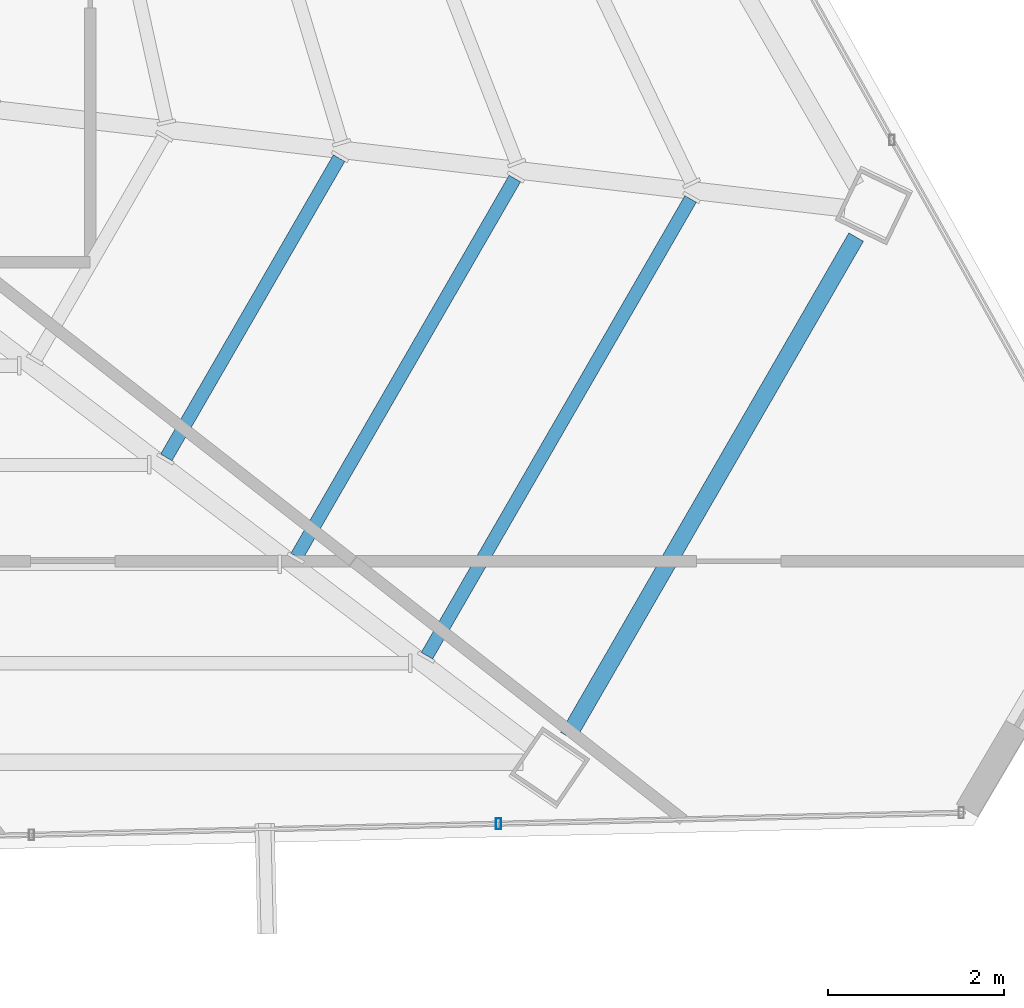
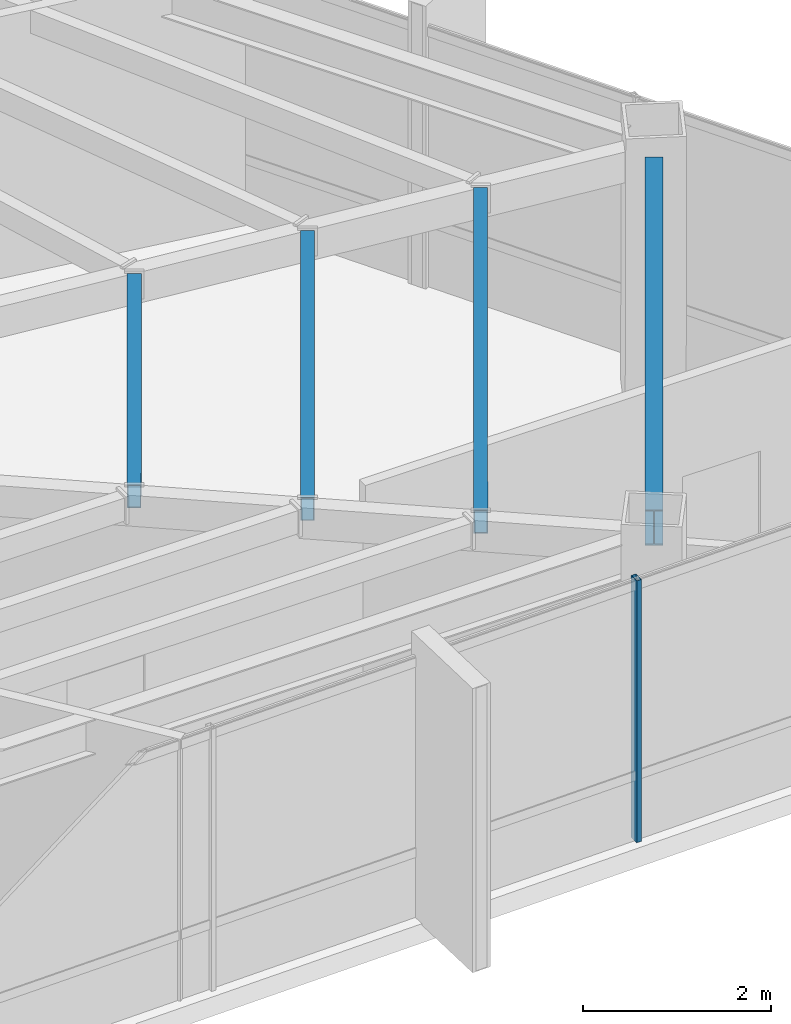
# One storey, part 21 of 45: 4 beams, 1 member, 1 element without a shape of its own.
"""IFC4 building model written with IfcOpenShell, lengths in metres."""

from ifc_helpers import new_model, si_unit, direction, frame, origin, origin_2d, place, context, subcontext, project, spatial, hollow_rectangle, i_section, extrude, source, transform, mapped, material, material_profile, profile_set, type_object, type_shapes, element, aggregate, save


model = new_model("IFC4")

# Units and contexts
model_context = context("Model", 3, precision=1e-05, world=origin(), true_north=direction((0.0, 1.0)))
body_context = subcontext(model_context, "Body", "Model", "MODEL_VIEW")
ifc_project = project(units=[si_unit("LENGTHUNIT", "METRE"), si_unit("AREAUNIT", "SQUARE_METRE"), si_unit("VOLUMEUNIT", "CUBIC_METRE"), si_unit("PLANEANGLEUNIT", "RADIAN"), si_unit("MASSUNIT", "GRAM", prefix="KILO")], contexts=[model_context])

# Site, building, storey
site_placement = place(None, origin())
site = spatial("IfcSite", under=ifc_project, at=site_placement, CompositionType="ELEMENT")
building_placement = place(site_placement, origin())
building = spatial("IfcBuilding", under=site, at=building_placement, Name="Caelisora Broadcast Tower", CompositionType="ELEMENT")
storey_placement = place(building_placement, frame((0.0, 0.0, 262.699951171875)))
storey = spatial("IfcBuildingStorey", under=building, at=storey_placement, Name="L69", CompositionType="ELEMENT", Elevation=262.699951171875)

# Beams
ifc_material_1 = material(Name="Steel Grade 350 (AS/NZS 3679.1)", Category="steel")
ifc_material_profile_1 = material_profile(ifc_material_1, i_section(OverallWidth=0.19091796875, OverallDepth=0.46044921875, WebThickness=0.010009765625, FlangeThickness=0.01611328125, at=origin_2d()), Name="Steel Grade 350 (AS/NZS 3679.1)")
ifc_profile_set_1 = profile_set([ifc_material_profile_1], Name="Steel Grade 350 (AS/NZS 3679.1)")
beam_type_1 = type_object("IfcBeamType", Name="PG06", PredefinedType="BEAM", material=ifc_profile_set_1)
shared_shape_1 = source(origin(), body_context, "Body", "SweptSolid", [
    extrude(i_section(OverallWidth=0.19091796875, OverallDepth=0.46044921875, WebThickness=0.010009765625, FlangeThickness=0.01611328125, at=origin_2d()), origin(), (0.0, 0.0, 1.0), 6.54052734375),
])
type_shapes(beam_type_1, [shared_shape_1])
beam_1_placement = place(storey_placement, frame((56.016845703125, 9.82177734375, 3.169921875), z_axis=(0.499997099805, 0.866027078206, 0.0), x_axis=(-0.866027078206, 0.499997099805, 0.0)))
element("IfcBeam", 1, at=beam_1_placement, inside=storey, type_object=beam_type_1, Name="L69 beam PG06", PredefinedType="BEAM", context=body_context, shape_type="MappedRepresentation", body=[
    mapped(shared_shape_1, transform((0.0, 0.0, 0.0), scale=1.0)),
])
ifc_material_2 = material(Name="Steel Grade 350 (AS/NZS 1163 C350L0)", Category="steel")
ifc_material_profile_2 = material_profile(ifc_material_2, hollow_rectangle(XDim=0.14990234375, YDim=0.300048828125, WallThickness=0.010009765625, at=origin_2d()), Name="Steel Grade 350 (AS/NZS 1163 C350L0)")
ifc_profile_set_2 = profile_set([ifc_material_profile_2], Name="Steel Grade 350 (AS/NZS 1163 C350L0)")
beam_type_2 = type_object("IfcBeamType", Name="SB05", PredefinedType="JOIST", material=ifc_profile_set_2)
shared_shape_2 = source(origin(), body_context, "Body", "SweptSolid", [
    extrude(hollow_rectangle(XDim=0.14990234375, YDim=0.300048828125, WallThickness=0.010009765625, at=origin_2d()), origin(), (0.0, 0.0, 1.0), 3.920166015625),
])
beam_2_placement = place(storey_placement, frame((51.4619140625, 12.987060546875, 3.25), z_axis=(0.500044117093, 0.865999931271, 0.0), x_axis=(-0.865999931271, 0.500044117093, 0.0)))
element("IfcBeam", 2, at=beam_2_placement, inside=storey, type_object=beam_type_2, Name="L69 beam SB05", PredefinedType="JOIST", context=body_context, shape_type="MappedRepresentation", body=[
    mapped(shared_shape_2, transform((0.0, 0.0, 0.0), scale=1.0)),
])
shared_shape_3 = source(origin(), body_context, "Body", "SweptSolid", [
    extrude(hollow_rectangle(XDim=0.14990234375, YDim=0.300048828125, WallThickness=0.010009765625, at=origin_2d()), origin(), (0.0, 0.0, 1.0), 4.951171875),
])
beam_3_placement = place(storey_placement, frame((52.940185546875, 11.862548828125, 3.25), z_axis=(0.499999897272, 0.866025463095, 0.0), x_axis=(-0.866025463095, 0.499999897272, 0.0)))
element("IfcBeam", 3, at=beam_3_placement, inside=storey, type_object=beam_type_2, Name="L69 beam SB05", PredefinedType="JOIST", context=body_context, shape_type="MappedRepresentation", body=[
    mapped(shared_shape_3, transform((0.0, 0.0, 0.0), scale=1.0)),
])
shared_shape_4 = source(origin(), body_context, "Body", "SweptSolid", [
    extrude(hollow_rectangle(XDim=0.14990234375, YDim=0.300048828125, WallThickness=0.010009765625, at=origin_2d()), origin(), (0.0, 0.0, 1.0), 5.982177734375),
])
type_shapes(beam_type_2, [shared_shape_2, shared_shape_3, shared_shape_4])
beam_4_placement = place(storey_placement, frame((54.41845703125, 10.738037109375, 3.25), z_axis=(0.499988591591, 0.866031990332, 0.0), x_axis=(-0.866031990332, 0.499988591591, 0.0)))
element("IfcBeam", 4, at=beam_4_placement, inside=storey, type_object=beam_type_2, Name="L69 beam SB05", PredefinedType="JOIST", context=body_context, shape_type="MappedRepresentation", body=[
    mapped(shared_shape_4, transform((0.0, 0.0, 0.0), scale=1.0)),
])

# Curtain wall, member
ifc_material_3 = material(Name="Unitised Aluminium and Low-E Glass Curtain Wall", Category="glass")
curtain_wall_type = type_object("IfcCurtainWallType", Name="CW-Z5", PredefinedType="NOTDEFINED", material=ifc_material_3)
curtain_wall_placement = place(storey_placement, origin())
curtain_wall = element("IfcCurtainWall", 5, at=curtain_wall_placement, inside=storey, type_object=curtain_wall_type, Name="L69 curtain wall CW-Z5", PredefinedType="NOTDEFINED")
ifc_material_4 = material(Name="Aluminium 6063-T6 Anodised Terracotta Bronze", Category="aluminium")
ifc_material_profile_3 = material_profile(ifc_material_4, hollow_rectangle(XDim=0.06005859375, YDim=0.1201171875, WallThickness=0.0029296875, at=origin_2d()), Name="Aluminium 6063-T6 Anodised Terracotta Bronze")
ifc_profile_set_3 = profile_set([ifc_material_profile_3], Name="Aluminium 6063-T6 Anodised Terracotta Bronze")
member_type = type_object("IfcMemberType", Name="CWM-04", PredefinedType="MULLION", material=ifc_profile_set_3)
shared_shape_5 = source(origin(), body_context, "Body", "SweptSolid", [
    extrude(hollow_rectangle(XDim=0.06005859375, YDim=0.1201171875, WallThickness=0.0029296875, at=origin_2d()), origin(), (0.0, 0.0, 1.0), 3.400146484375),
])
type_shapes(member_type, [shared_shape_5])
member_placement = place(storey_placement, frame((55.230712890625, 8.831787109375, 0.0), z_axis=(0.0, 0.0, 1.0), x_axis=(1.0, 0.0, 0.0)))
member = element("IfcMember", 6, at=member_placement, type_object=member_type, Name="L69-CW-B05 mullion #1", PredefinedType="MULLION", context=body_context, shape_type="MappedRepresentation", body=[
    mapped(shared_shape_5, transform((0.0, 0.0, 0.0), scale=1.0)),
])
aggregate(curtain_wall, [member])

save(model, "model.ifc")
